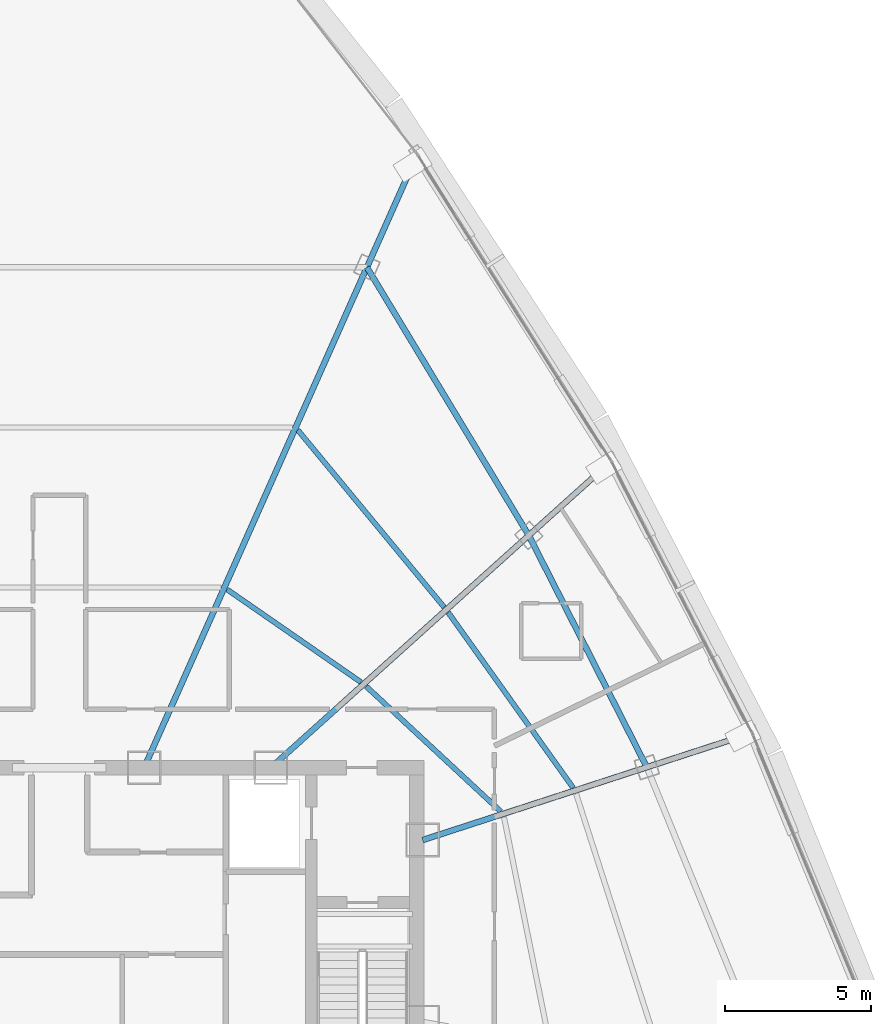
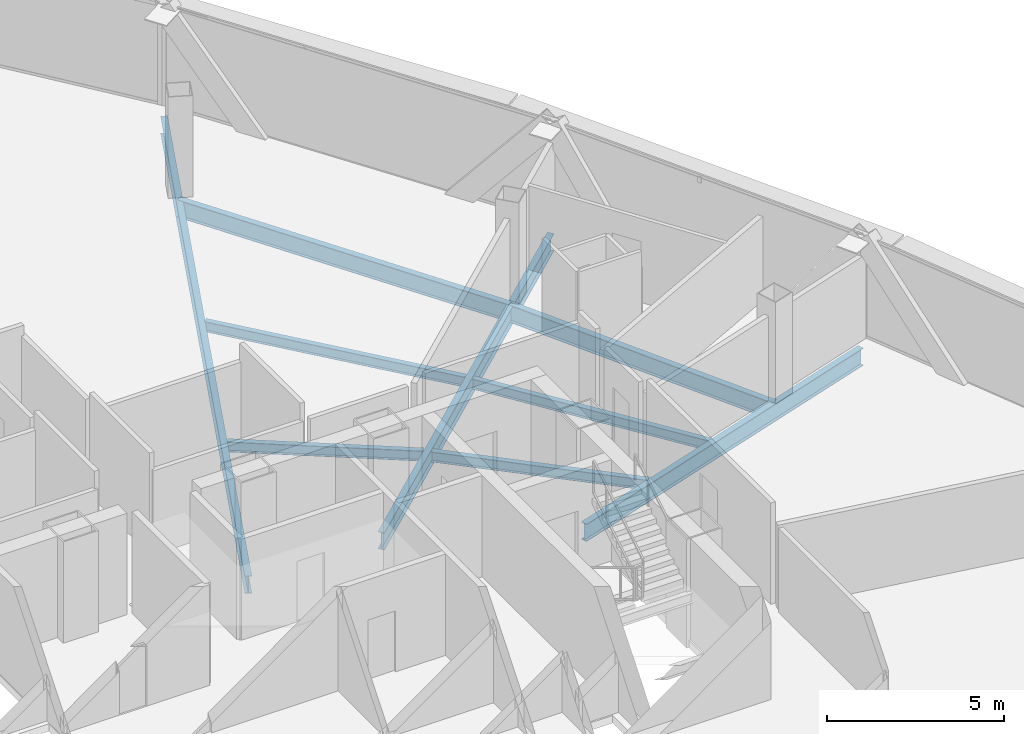
# One storey, part 17 of 34: 9 beams.
"""IFC4 building model written with IfcOpenShell, lengths in metres."""

from ifc_helpers import new_model, si_unit, direction, frame, origin, origin_2d, place, context, subcontext, project, spatial, i_section, extrude, source, transform, mapped, material, material_profile, profile_set, type_object, element, save


model = new_model("IFC4")

# Units and contexts
model_context = context("Model", 3, precision=1e-05, world=origin(), true_north=direction((0.0, 1.0)))
body_context = subcontext(model_context, "Body", "Model", "MODEL_VIEW")
ifc_project = project(units=[si_unit("LENGTHUNIT", "METRE"), si_unit("AREAUNIT", "SQUARE_METRE"), si_unit("VOLUMEUNIT", "CUBIC_METRE"), si_unit("PLANEANGLEUNIT", "RADIAN"), si_unit("MASSUNIT", "GRAM", prefix="KILO"), si_unit("THERMODYNAMICTEMPERATUREUNIT", "KELVIN"), si_unit("POWERUNIT", "WATT")], contexts=[model_context])

# Site, building, storey
site_placement = place(None, origin())
site = spatial("IfcSite", under=ifc_project, at=site_placement, CompositionType="ELEMENT")
building_placement = place(site_placement, origin())
building = spatial("IfcBuilding", under=site, at=building_placement, Name="Yunzhuo Pagoda Commons", CompositionType="ELEMENT")
storey_placement = place(building_placement, frame((0.0, 0.0, 333.010009765625)))
storey = spatial("IfcBuildingStorey", under=building, at=storey_placement, Name="L83", CompositionType="ELEMENT", Elevation=333.010009765625)

# Beams
ifc_material = material(Name="Structural steel Q355B", Category="steel")
ifc_material_profile_1 = material_profile(ifc_material, i_section(OverallWidth=0.199951171875, OverallDepth=0.60009765625, WebThickness=0.010986328125, FlangeThickness=0.01708984375, at=origin_2d()), Name="Structural steel Q355B")
ifc_profile_set_1 = profile_set([ifc_material_profile_1], Name="Structural steel Q355B")
beam_type_1 = type_object("IfcBeamType", Name="B-RG3 Beam HN 600x200x11x17", PredefinedType="BEAM", material=ifc_profile_set_1)
shared_shape_1 = source(origin(), body_context, "Body", "SweptSolid", [
    extrude(i_section(OverallWidth=0.199951171875, OverallDepth=0.60009765625, WebThickness=0.010986328125, FlangeThickness=0.01708984375, at=origin_2d()), origin(), (0.0, 0.0, 1.0), 8.87939453125),
])
beam_1_placement = place(storey_placement, frame((68.053466796875, 40.2158203125, -0.56005859375), z_axis=(-0.453723535687, 0.891142498798, 0.0), x_axis=(-0.891142498798, -0.453723535687, 0.0)))
element("IfcBeam", 1, at=beam_1_placement, inside=storey, type_object=beam_type_1, Name="L83 column-ring beam 6", PredefinedType="BEAM", context=body_context, shape_type="MappedRepresentation", body=[
    mapped(shared_shape_1, transform((0.0, 0.0, 0.0), scale=1.0)),
])
shared_shape_2 = source(origin(), body_context, "Body", "SweptSolid", [
    extrude(i_section(OverallWidth=0.199951171875, OverallDepth=0.60009765625, WebThickness=0.010986328125, FlangeThickness=0.01708984375, at=origin_2d()), origin(), (0.0, 0.0, 1.0), 10.691162109375),
])
beam_2_placement = place(storey_placement, frame((64.024658203125, 48.128662109375, -0.56005859375), z_axis=(-0.516864678433, 0.856067114301, 0.0), x_axis=(-0.856067114301, -0.516864678433, 0.0)))
element("IfcBeam", 2, at=beam_2_placement, inside=storey, type_object=beam_type_1, Name="L83 column-ring beam 7", PredefinedType="BEAM", context=body_context, shape_type="MappedRepresentation", body=[
    mapped(shared_shape_2, transform((0.0, 0.0, 0.0), scale=1.0)),
])
shared_shape_3 = source(origin(), body_context, "Body", "SweptSolid", [
    extrude(i_section(OverallWidth=0.199951171875, OverallDepth=0.60009765625, WebThickness=0.010986328125, FlangeThickness=0.01708984375, at=origin_2d()), origin(), (0.0, 0.0, 1.0), 11.676025390625),
])
beam_3_placement = place(storey_placement, frame((71.504638671875, 41.3369140625, -0.56005859375), z_axis=(-0.951062491517, -0.308998603927, 0.0), x_axis=(0.308998603927, -0.951062491517, 0.0)))
element("IfcBeam", 3, at=beam_3_placement, inside=storey, type_object=beam_type_1, Name="L83 radial floor girder F2C2", PredefinedType="BEAM", context=body_context, shape_type="MappedRepresentation", body=[
    mapped(shared_shape_3, transform((0.0, 0.0, 0.0), scale=1.0)),
])
shared_shape_4 = source(origin(), body_context, "Body", "SweptSolid", [
    extrude(i_section(OverallWidth=0.199951171875, OverallDepth=0.60009765625, WebThickness=0.010986328125, FlangeThickness=0.01708984375, at=origin_2d()), origin(), (0.0, 0.0, 1.0), 15.487548828125),
])
beam_4_placement = place(storey_placement, frame((66.728515625, 50.563232421875, -0.56005859375), z_axis=(-0.743142849048, -0.6691328014, 0.0), x_axis=(0.6691328014, -0.743142849048, 0.0)))
element("IfcBeam", 4, at=beam_4_placement, inside=storey, type_object=beam_type_1, Name="L83 radial floor girder F2C3", PredefinedType="BEAM", context=body_context, shape_type="MappedRepresentation", body=[
    mapped(shared_shape_4, transform((0.0, 0.0, 0.0), scale=1.0)),
])
shared_shape_5 = source(origin(), body_context, "Body", "SweptSolid", [
    extrude(i_section(OverallWidth=0.199951171875, OverallDepth=0.60009765625, WebThickness=0.010986328125, FlangeThickness=0.01708984375, at=origin_2d()), origin(), (0.0, 0.0, 1.0), 22.76953125),
])
beam_5_placement = place(storey_placement, frame((60.1552734375, 61.0009765625, -0.56005859375), z_axis=(-0.406737276471, -0.913545175637, 0.0), x_axis=(0.913545175637, -0.406737276471, 0.0)))
element("IfcBeam", 5, at=beam_5_placement, inside=storey, type_object=beam_type_1, Name="L83 radial floor girder F2C4", PredefinedType="BEAM", context=body_context, shape_type="MappedRepresentation", body=[
    mapped(shared_shape_5, transform((0.0, 0.0, 0.0), scale=1.0)),
])
ifc_material_profile_2 = material_profile(ifc_material, i_section(OverallWidth=0.175048828125, OverallDepth=0.35009765625, WebThickness=0.007080078125, FlangeThickness=0.010986328125, at=origin_2d()), Name="Structural steel Q355B")
ifc_profile_set_2 = profile_set([ifc_material_profile_2], Name="Structural steel Q355B")
beam_type_2 = type_object("IfcBeamType", Name="B-JS2 Joist HN 350x175x7x11", PredefinedType="JOIST", material=ifc_profile_set_2)
shared_shape_6 = source(origin(), body_context, "Body", "SweptSolid", [
    extrude(i_section(OverallWidth=0.175048828125, OverallDepth=0.35009765625, WebThickness=0.007080078125, FlangeThickness=0.010986328125, at=origin_2d()), origin(), (0.0, 0.0, 1.0), 6.277099609375),
])
beam_6_placement = place(storey_placement, frame((63.071044921875, 38.702392578125, -0.43505859375), z_axis=(-0.73244154109, 0.68082992655, 0.0), x_axis=(-0.68082992655, -0.73244154109, 0.0)))
element("IfcBeam", 6, at=beam_6_placement, inside=storey, type_object=beam_type_2, Name="L83 composite ring joist 1.6", PredefinedType="JOIST", context=body_context, shape_type="MappedRepresentation", body=[
    mapped(shared_shape_6, transform((0.0, 0.0, 0.0), scale=1.0)),
])
shared_shape_7 = source(origin(), body_context, "Body", "SweptSolid", [
    extrude(i_section(OverallWidth=0.175048828125, OverallDepth=0.35009765625, WebThickness=0.007080078125, FlangeThickness=0.010986328125, at=origin_2d()), origin(), (0.0, 0.0, 1.0), 7.347900390625),
])
beam_7_placement = place(storey_placement, frame((65.53759765625, 39.513671875, -0.43505859375), z_axis=(-0.580294898948, 0.814406428177, 0.0), x_axis=(-0.814406428177, -0.580294898948, 0.0)))
element("IfcBeam", 7, at=beam_7_placement, inside=storey, type_object=beam_type_2, Name="L83 composite ring joist 2.6", PredefinedType="JOIST", context=body_context, shape_type="MappedRepresentation", body=[
    mapped(shared_shape_7, transform((0.0, 0.0, 0.0), scale=1.0)),
])
shared_shape_8 = source(origin(), body_context, "Body", "SweptSolid", [
    extrude(i_section(OverallWidth=0.175048828125, OverallDepth=0.35009765625, WebThickness=0.007080078125, FlangeThickness=0.010986328125, at=origin_2d()), origin(), (0.0, 0.0, 1.0), 5.556640625),
])
beam_8_placement = place(storey_placement, frame((58.29443359375, 43.119873046875, -0.43505859375), z_axis=(-0.822084621883, 0.569365326011, 0.0), x_axis=(-0.569365326011, -0.822084621883, 0.0)))
element("IfcBeam", 8, at=beam_8_placement, inside=storey, type_object=beam_type_2, Name="L83 composite ring joist 1.7", PredefinedType="JOIST", context=body_context, shape_type="MappedRepresentation", body=[
    mapped(shared_shape_8, transform((0.0, 0.0, 0.0), scale=1.0)),
])
shared_shape_9 = source(origin(), body_context, "Body", "SweptSolid", [
    extrude(i_section(OverallWidth=0.175048828125, OverallDepth=0.35009765625, WebThickness=0.007080078125, FlangeThickness=0.010986328125, at=origin_2d()), origin(), (0.0, 0.0, 1.0), 7.842529296875),
])
beam_9_placement = place(storey_placement, frame((61.133544921875, 45.68017578125, -0.43505859375), z_axis=(-0.636899145749, 0.770947130577, 0.0), x_axis=(-0.770947130577, -0.636899145749, 0.0)))
element("IfcBeam", 9, at=beam_9_placement, inside=storey, type_object=beam_type_2, Name="L83 composite ring joist 2.7", PredefinedType="JOIST", context=body_context, shape_type="MappedRepresentation", body=[
    mapped(shared_shape_9, transform((0.0, 0.0, 0.0), scale=1.0)),
])

save(model, "model.ifc")
